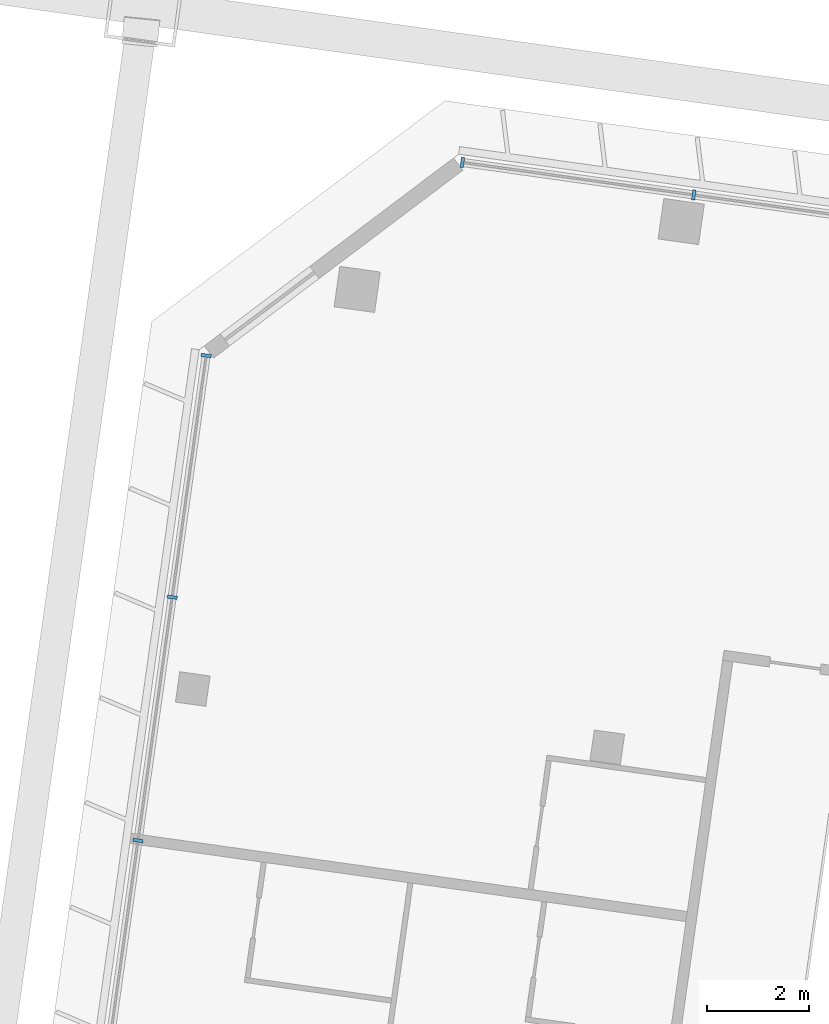
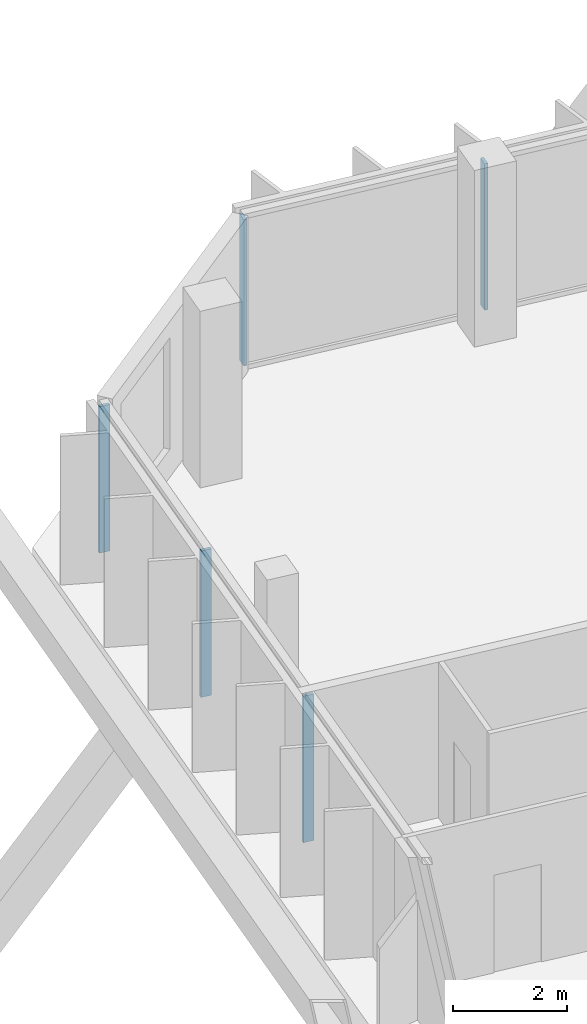
# One storey, part 7 of 38: 5 members, 2 elements without a shape of their own.
"""IFC4 building model written with IfcOpenShell, lengths in metres."""

from ifc_helpers import new_model, si_unit, direction, frame, origin, origin_2d, place, context, subcontext, project, spatial, rectangle, extrude, material, material_profile, profile_set, type_object, element, aggregate, save


model = new_model("IFC4")

# Units and contexts
model_context = context("Model", 3, precision=1e-05, world=origin(), true_north=direction((0.0, 1.0)))
body_context = subcontext(model_context, "Body", "Model", "MODEL_VIEW")
ifc_project = project(units=[si_unit("LENGTHUNIT", "METRE"), si_unit("AREAUNIT", "SQUARE_METRE"), si_unit("VOLUMEUNIT", "CUBIC_METRE"), si_unit("PLANEANGLEUNIT", "RADIAN"), si_unit("MASSUNIT", "GRAM", prefix="KILO")], contexts=[model_context])

# Site, building, storey
site_placement = place(None, origin())
site = spatial("IfcSite", under=ifc_project, at=site_placement, CompositionType="ELEMENT")
building_placement = place(site_placement, origin())
building = spatial("IfcBuilding", under=site, at=building_placement, Name="Mirante Cascada Hotel Towers", CompositionType="ELEMENT")
storey_placement = place(building_placement, frame((0.0, 0.0, 184.0)))
storey = spatial("IfcBuildingStorey", under=building, at=storey_placement, Name="L43", CompositionType="ELEMENT", Elevation=184.0)

# Curtain wall, members
ifc_material_1 = material(Name="Aluminium mullion and transom frame with clear laminated glass", Category="aluminium")
curtain_wall_type_1 = type_object("IfcCurtainWallType", Name="Ribbon curtain wall ECW1", PredefinedType="NOTDEFINED", material=ifc_material_1)
curtain_wall_1_placement = place(storey_placement, origin())
curtain_wall_1 = element("IfcCurtainWall", 1, at=curtain_wall_1_placement, inside=storey, type_object=curtain_wall_type_1, Name="Front ribbon wall T1 L43", PredefinedType="NOTDEFINED")
ifc_material_2 = material(Name="Anodised aluminium extrusion", Category="aluminium")
ifc_material_profile_1 = material_profile(ifc_material_2, rectangle(XDim=0.2, YDim=0.065, at=origin_2d()), Name="ECW1 MULLION 65x200")
ifc_profile_set_1 = profile_set([ifc_material_profile_1], Name="Anodised aluminium extrusion")
member_type_1 = type_object("IfcMemberType", Name="ECW1 mullion 65x200", PredefinedType="MULLION", material=ifc_profile_set_1)
member_1_placement = place(storey_placement, frame((-76.3011, 23.5425, 0.1), z_axis=(0.0, 0.0, 1.0), x_axis=(0.1391731, 0.9902681, 0.0)))
member_1 = element("IfcMember", 2, at=member_1_placement, type_object=member_type_1, Name="ECW1 mullion 1", PredefinedType="MULLION", context=body_context, shape_type="SweptSolid", body=[
    extrude(rectangle(XDim=0.2, YDim=0.065, at=origin_2d()), origin(), (0.0, 0.0, 1.0), 3.15),
])
member_2_placement = place(storey_placement, frame((-71.7686, 22.9054, 0.1), z_axis=(0.0, 0.0, 1.0), x_axis=(0.1391731, 0.9902681, 0.0)))
member_2 = element("IfcMember", 3, at=member_2_placement, type_object=member_type_1, Name="ECW1 mullion 2", PredefinedType="MULLION", context=body_context, shape_type="SweptSolid", body=[
    extrude(rectangle(XDim=0.2, YDim=0.065, at=origin_2d()), origin(), (0.0, 0.0, 1.0), 3.15),
])
aggregate(curtain_wall_1, [member_1, member_2])

ifc_material_3 = material(Name="Aluminium mullion and transom frame with clear laminated glass", Category="aluminium")
curtain_wall_type_2 = type_object("IfcCurtainWallType", Name="End ribbon curtain wall ECW2", PredefinedType="NOTDEFINED", material=ifc_material_3)
curtain_wall_2_placement = place(storey_placement, origin())
curtain_wall_2 = element("IfcCurtainWall", 4, at=curtain_wall_2_placement, inside=storey, type_object=curtain_wall_type_2, Name="Outer end wall T1 L43", PredefinedType="NOTDEFINED")
ifc_material_4 = material(Name="Anodised aluminium extrusion", Category="aluminium")
ifc_material_profile_2 = material_profile(ifc_material_4, rectangle(XDim=0.2, YDim=0.065, at=origin_2d()), Name="ECW2 MULLION 65x200")
ifc_profile_set_2 = profile_set([ifc_material_profile_2], Name="Anodised aluminium extrusion")
member_type_2 = type_object("IfcMemberType", Name="ECW2 mullion 65x200", PredefinedType="MULLION", material=ifc_profile_set_2)
member_3_placement = place(storey_placement, frame((-82.6561, 10.2603, 0.1), z_axis=(0.0, 0.0, 1.0), x_axis=(-0.9902681, 0.1391731, 0.0)))
member_3 = element("IfcMember", 5, at=member_3_placement, type_object=member_type_2, Name="ECW2 mullion 5", PredefinedType="MULLION", context=body_context, shape_type="SweptSolid", body=[
    extrude(rectangle(XDim=0.2, YDim=0.065, at=origin_2d()), origin(), (0.0, 0.0, 1.0), 3.15),
])
member_4_placement = place(storey_placement, frame((-81.9864, 15.026, 0.1), z_axis=(0.0, 0.0, 1.0), x_axis=(-0.9902681, 0.1391731, 0.0)))
member_4 = element("IfcMember", 6, at=member_4_placement, type_object=member_type_2, Name="ECW2 mullion 6", PredefinedType="MULLION", context=body_context, shape_type="SweptSolid", body=[
    extrude(rectangle(XDim=0.2, YDim=0.065, at=origin_2d()), origin(), (0.0, 0.0, 1.0), 3.15),
])
member_5_placement = place(storey_placement, frame((-81.3211, 19.7596, 0.1), z_axis=(0.0, 0.0, 1.0), x_axis=(-0.9902681, 0.1391731, 0.0)))
member_5 = element("IfcMember", 7, at=member_5_placement, type_object=member_type_2, Name="ECW2 mullion 7", PredefinedType="MULLION", context=body_context, shape_type="SweptSolid", body=[
    extrude(rectangle(XDim=0.2, YDim=0.065, at=origin_2d()), origin(), (0.0, 0.0, 1.0), 3.15),
])
aggregate(curtain_wall_2, [member_3, member_4, member_5])

save(model, "model.ifc")
